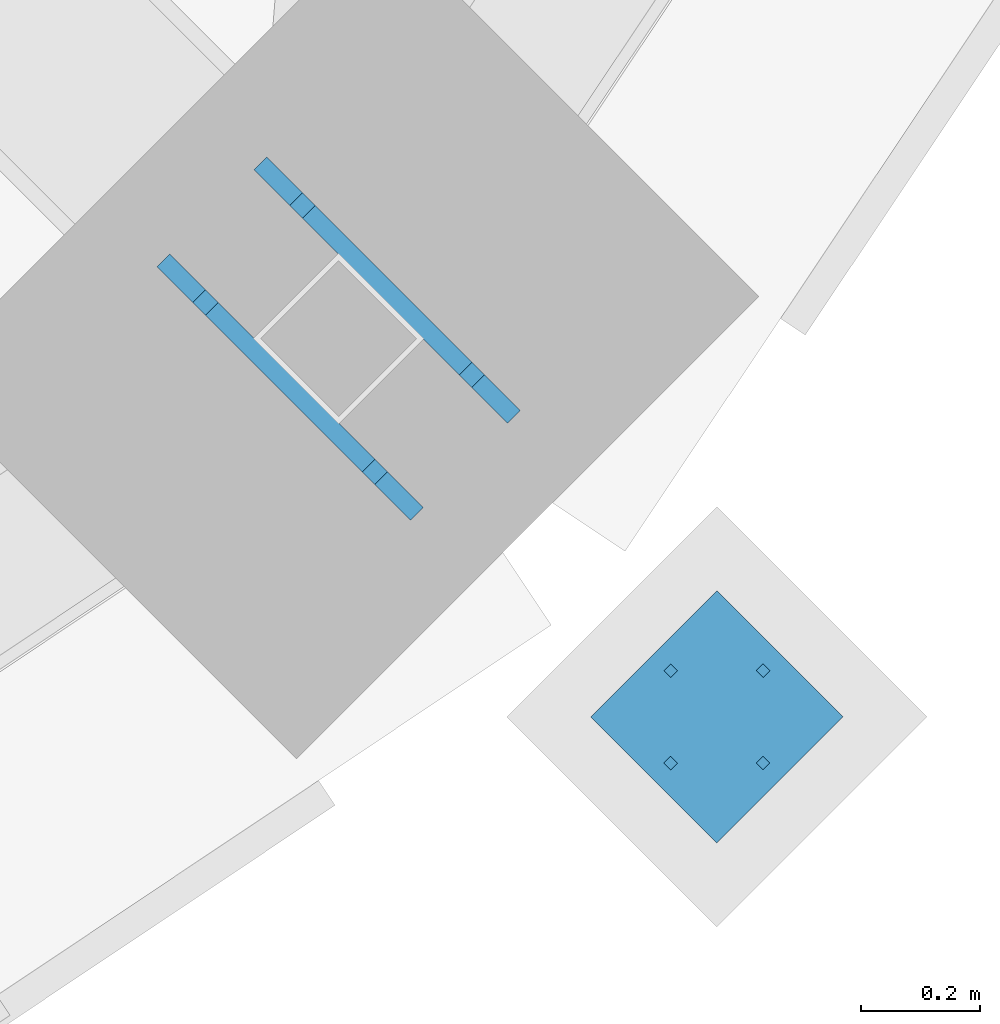
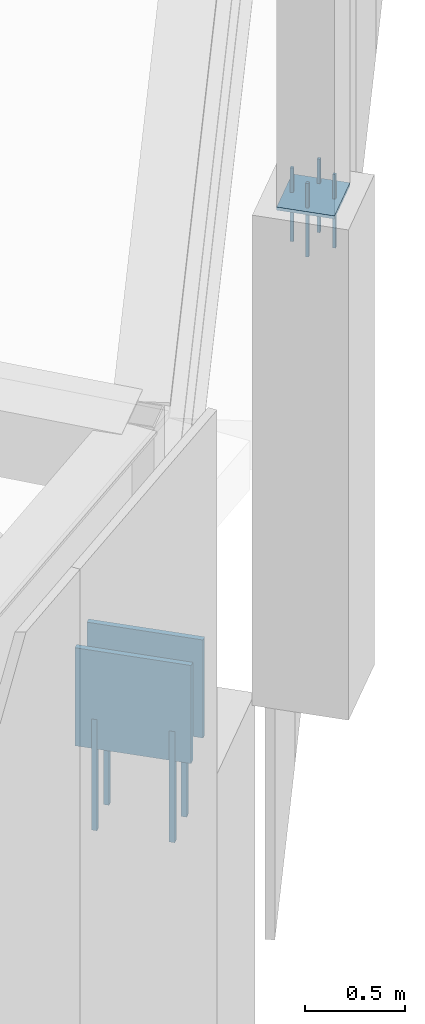
# One storey, part 175 of 278: 8 mechanical fasteners, 3 discrete accessories.
"""IFC4 building model written with IfcOpenShell, lengths in metres."""

from ifc_helpers import new_model, si_unit, direction, frame, origin, origin_2d, place, context, subcontext, project, spatial, rectangle, extrude, material, layer, layer_set, type_object, element, save


model = new_model("IFC4")

# Units and contexts
model_context = context("Model", 3, precision=1e-05, world=origin(), true_north=direction((0.0, 1.0)))
body_context = subcontext(model_context, "Body", "Model", "MODEL_VIEW")
ifc_project = project(units=[si_unit("LENGTHUNIT", "METRE"), si_unit("AREAUNIT", "SQUARE_METRE"), si_unit("VOLUMEUNIT", "CUBIC_METRE"), si_unit("PLANEANGLEUNIT", "RADIAN"), si_unit("MASSUNIT", "GRAM", prefix="KILO")], contexts=[model_context])

# Site, building, storey
site_placement = place(None, origin())
site = spatial("IfcSite", under=ifc_project, at=site_placement, CompositionType="ELEMENT")
building_placement = place(site_placement, origin())
building = spatial("IfcBuilding", under=site, at=building_placement, Name="Ogive Plaza Stadium", CompositionType="ELEMENT")
storey_placement = place(building_placement, frame((0.0, 0.0, 29.0)))
storey = spatial("IfcBuildingStorey", under=building, at=storey_placement, Name="Roof", CompositionType="ELEMENT", Elevation=29.0)

# Mechanical fasteners
ifc_material_1 = material(Name="Steel ASTM A992 Grade 50", Category="steel")
mechanical_fastener_type_1 = type_object("IfcMechanicalFastenerType", Name="Anchor bolt M30 x 600", PredefinedType="ANCHORBOLT", material=ifc_material_1)
for number, where, z_axis, x_axis, name in (
    (1, (69.57958984375, -87.916259765625, 3.0), (0.0, 0.0, 1.0), (0.707106781187, -0.707106781187, 0.0), "ANCHOR BOLT 10 BF 1.1"),
    (2, (69.29443359375, -87.631103515625, 3.0), (0.0, 0.0, 1.0), (0.707106781187, -0.707106781187, 0.0), "ANCHOR BOLT 10 BF 1.2"),
    (3, (69.416259765625, -88.07958984375, 3.0), (0.0, 0.0, 1.0), (0.707106781187, -0.707106781187, 0.0), "ANCHOR BOLT 10 BF 2.1"),
    (4, (69.131103515625, -87.79443359375, 3.0), (0.0, 0.0, 1.0), (0.707106781187, -0.707106781187, 0.0), "ANCHOR BOLT 10 BF 2.2"),
):
    element("IfcMechanicalFastener", number, at=place(storey_placement, frame(where, z_axis=z_axis, x_axis=x_axis)), inside=storey, type_object=mechanical_fastener_type_1, Name=name, PredefinedType="ANCHORBOLT", context=body_context, shape_type="SweptSolid", body=[
        extrude(rectangle(XDim=0.030029296875, YDim=0.030029296875, at=origin_2d()), origin(), (0.0, 0.0, 1.0), 0.679931640625),
    ])
ifc_material_2 = material(Name="Steel ASTM A992 Grade 50", Category="steel")
mechanical_fastener_type_2 = type_object("IfcMechanicalFastenerType", Name="Spire anchor bolt M16 x 450", PredefinedType="ANCHORBOLT", material=ifc_material_2)
for number, where, z_axis, x_axis, name in (
    (5, (70.069580078125, -88.569580078125, 6.7001953125), (0.0, 0.0, 1.0), (0.707106781187, -0.707106781187, 0.0), "SPIRE ANCHOR BOLT 10 1"),
    (6, (69.9140625, -88.4140625, 6.7001953125), (0.0, 0.0, 1.0), (0.707106781187, -0.707106781187, 0.0), "SPIRE ANCHOR BOLT 10 2"),
    (7, (70.069580078125, -88.4140625, 6.7001953125), (0.0, 0.0, 1.0), (0.707106781187, -0.707106781187, 0.0), "SPIRE ANCHOR BOLT 10 3"),
    (8, (69.9140625, -88.569580078125, 6.7001953125), (0.0, 0.0, 1.0), (0.707106781187, -0.707106781187, 0.0), "SPIRE ANCHOR BOLT 10 4"),
):
    element("IfcMechanicalFastener", number, at=place(storey_placement, frame(where, z_axis=z_axis, x_axis=x_axis)), inside=storey, type_object=mechanical_fastener_type_2, Name=name, PredefinedType="ANCHORBOLT", context=body_context, shape_type="SweptSolid", body=[
        extrude(rectangle(XDim=0.01611328125, YDim=0.01611328125, at=origin_2d()), origin(), (0.0, 0.0, 1.0), 0.449951171875),
    ])

# Discrete accessories
ifc_material_3 = material(Name="Steel ASTM A992 Grade 50", Category="steel")
ifc_layer_1 = layer(ifc_material_3, 0.02001953125)
ifc_layer_set_1 = layer_set([ifc_layer_1], Name="Steel ASTM A992 Grade 50")
discrete_accessory_type_1 = type_object("IfcDiscreteAccessoryType", Name="Spire seat plate 20", PredefinedType="ANCHORPLATE", material=ifc_layer_set_1)
discrete_accessory_placement = place(storey_placement, frame((69.99169921875, -88.49169921875, 6.98095703125), z_axis=(0.0, 0.0, 1.0), x_axis=(0.707106781187, -0.707106781187, 0.0)))
element("IfcDiscreteAccessory", 9, at=discrete_accessory_placement, inside=storey, type_object=discrete_accessory_type_1, Name="SPIRE SEAT PLATE 10", PredefinedType="ANCHORPLATE", context=body_context, shape_type="SweptSolid", body=[
    extrude(rectangle(XDim=0.300048828125, YDim=0.300048828125, at=origin_2d()), origin(), (0.0, 0.0, 1.0), 0.02001953125),
])
ifc_material_4 = material(Name="Steel ASTM A992 Grade 50", Category="steel")
ifc_layer_2 = layer(ifc_material_4, 0.030029296875)
ifc_layer_set_2 = layer_set([ifc_layer_2], Name="Steel ASTM A992 Grade 50")
discrete_accessory_type_2 = type_object("IfcDiscreteAccessoryType", Name="Truss back-stay foot cleat plate 30", PredefinedType="ANCHORPLATE", material=ifc_layer_set_2)
for number, where, z_axis, x_axis, name in (
    (10, (69.43701171875, -87.773681640625, 3.5), (0.0, 0.0, 1.0), (0.707106781187, -0.707106781187, 0.0), "TRUSS BACK-STAY FOOT CLEAT PLATE 10 1"),
    (11, (69.273681640625, -87.93701171875, 3.5), (0.0, 0.0, 1.0), (0.707106781187, -0.707106781187, 0.0), "TRUSS BACK-STAY FOOT CLEAT PLATE 10 2"),
):
    element("IfcDiscreteAccessory", number, at=place(storey_placement, frame(where, z_axis=z_axis, x_axis=x_axis)), inside=storey, type_object=discrete_accessory_type_2, Name=name, PredefinedType="ANCHORPLATE", context=body_context, shape_type="SweptSolid", body=[
        extrude(rectangle(XDim=0.603271484375, YDim=0.030029296875, at=origin_2d()), origin(), (0.0, 0.0, 1.0), 0.60009765625),
    ])

save(model, "model.ifc")
